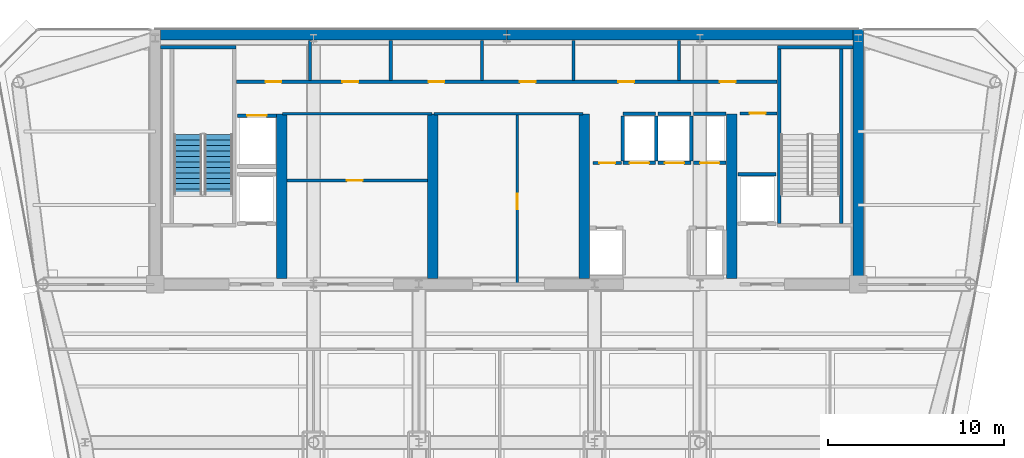
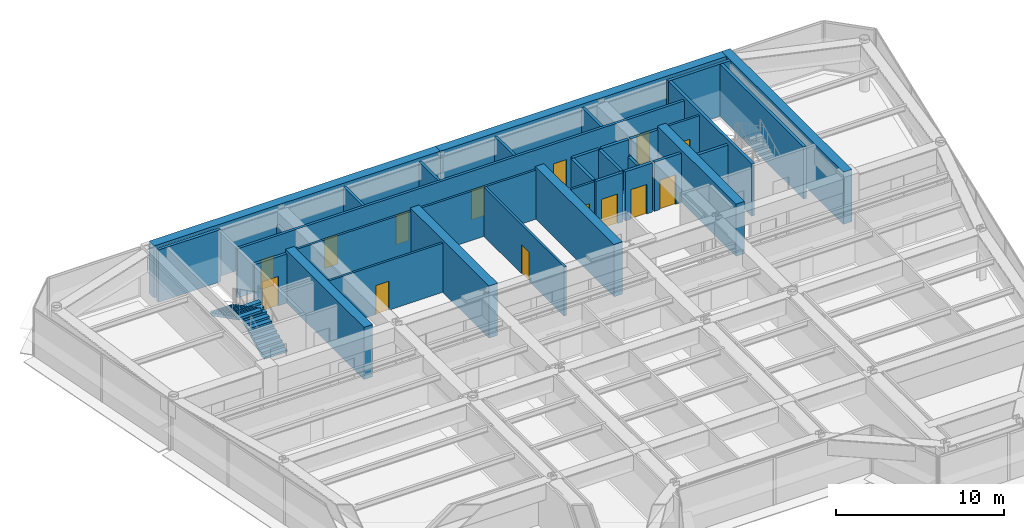
# One storey, part 12 of 17: 34 walls, 14 doors, 2 stair flights, 14 openings, 1 element without a shape of its own.
"""IFC4 building model written with IfcOpenShell, lengths in metres."""

from ifc_helpers import new_model, si_unit, direction, frame, frame_2d, origin, place, context, subcontext, project, spatial, polyline, rectangle, outline, extrude, source, transform, mapped, material, layer, layer_set, type_object, element, fill, aggregate, save


model = new_model("IFC4")

# Units and contexts
model_context = context("Model", 3, precision=1e-05, world=origin(), true_north=direction((0.0, 1.0)))
body_context = subcontext(model_context, "Body", "Model", "MODEL_VIEW")
ifc_project = project(units=[si_unit("LENGTHUNIT", "METRE"), si_unit("AREAUNIT", "SQUARE_METRE"), si_unit("VOLUMEUNIT", "CUBIC_METRE"), si_unit("PLANEANGLEUNIT", "RADIAN"), si_unit("MASSUNIT", "GRAM", prefix="KILO")], contexts=[model_context])

# Site, building, storey
site_placement = place(None, origin())
site = spatial("IfcSite", under=ifc_project, at=site_placement, CompositionType="ELEMENT")
building_placement = place(site_placement, origin())
building = spatial("IfcBuilding", under=site, at=building_placement, Name="Vaeldorn Concourse Tower", CompositionType="ELEMENT")
storey_placement = place(building_placement, frame((0.0, 0.0, 234.60009765625)))
storey = spatial("IfcBuildingStorey", under=building, at=storey_placement, Name="L60", CompositionType="ELEMENT", Elevation=234.60009765625)

# Walls
ifc_material_1 = material(Name="Concrete C50/60", Category="concrete")
ifc_layer_1 = layer(ifc_material_1, 0.60009765625)
ifc_layer_set_1 = layer_set([ifc_layer_1], Name="Concrete C50/60")
wall_type_1 = type_object("IfcWallType", Name="WL-CORE-600", PredefinedType="SHEAR", material=ifc_layer_set_1)
for number, where, z_axis, x_axis, name in (
    (1, (14.303955078125, 50.699951171875, 0.0), (0.0, 0.0, 1.0), (1.0, 0.0, 0.0), "Rear Core Shear Wall L60 N1"),
    (2, (34.001953125, 50.699951171875, 0.0), (0.0, 0.0, 1.0), (1.0, 0.0, 0.0), "Rear Core Shear Wall L60 N2"),
):
    element("IfcWall", number, at=place(storey_placement, frame(where, z_axis=z_axis, x_axis=x_axis)), inside=storey, type_object=wall_type_1, Name=name, PredefinedType="SHEAR", context=body_context, shape_type="SweptSolid", body=[
        extrude(rectangle(XDim=19.694091796875, YDim=0.60009765625, at=frame_2d((9.84716796875, 0.0))), origin(), (0.0, 0.0, 1.0), 3.7998046875),
    ])
wall_1_placement = place(storey_placement, frame((54.0, 36.5, 0.0), z_axis=(0.0, 0.0, 1.0), x_axis=(0.0, 1.0, 0.0)))
element("IfcWall", 3, at=wall_1_placement, inside=storey, type_object=wall_type_1, Name="Rear Core Shear Wall L60 E1", PredefinedType="SHEAR", context=body_context, shape_type="SweptSolid", body=[
    extrude(rectangle(XDim=14.5, YDim=0.60009765625, at=frame_2d((7.25, 0.0))), origin(), (0.0, 0.0, 1.0), 3.7998046875),
])
for number, where, z_axis, x_axis, name in (
    (4, (21.199951171875, 36.820068359375, 0.0), (0.0, 0.0, 1.0), (0.0, 1.0, 0.0), "Rear Core Shear Wall L60 M1"),
    (5, (29.800048828125, 36.820068359375, 0.0), (0.0, 0.0, 1.0), (0.0, 1.0, 0.0), "Rear Core Shear Wall L60 M2"),
    (6, (38.39990234375, 36.820068359375, 0.0), (0.0, 0.0, 1.0), (0.0, 1.0, 0.0), "Rear Core Shear Wall L60 M3"),
    (7, (46.800048828125, 36.820068359375, 0.0), (0.0, 0.0, 1.0), (0.0, 1.0, 0.0), "Rear Core Shear Wall L60 M4"),
):
    element("IfcWall", number, at=place(storey_placement, frame(where, z_axis=z_axis, x_axis=x_axis)), inside=storey, type_object=wall_type_1, Name=name, PredefinedType="SHEAR", context=body_context, shape_type="SweptSolid", body=[
        extrude(rectangle(XDim=9.3798828125, YDim=0.60009765625, at=frame_2d((4.68994140625, 0.0))), origin(), (0.0, 0.0, 1.0), 3.7998046875),
    ])
ifc_material_2 = material(Name="Gypsum Board Partition", Category="gypsum")
ifc_layer_2 = layer(ifc_material_2, 0.14990234375)
ifc_layer_set_2 = layer_set([ifc_layer_2], Name="Gypsum Board Partition")
wall_type_2 = type_object("IfcWallType", Name="WL-PART-150", PredefinedType="PARTITIONING", material=ifc_layer_set_2)
wall_2_placement = place(storey_placement, frame((21.25, 46.199951171875, 0.0), z_axis=(0.0, 0.0, 1.0), x_axis=(1.0, 0.0, 0.0)))
element("IfcWall", 8, at=wall_2_placement, inside=storey, type_object=wall_type_2, Name="Interior Wall CW-L60-R1N", PredefinedType="PARTITIONING", context=body_context, shape_type="SweptSolid", body=[
    extrude(rectangle(XDim=8.5, YDim=0.14990234375, at=frame_2d((4.25, 0.0))), origin(), (0.0, 0.0, 1.0), 3.579833984375),
])

# Wall, opening, door
wall_3_placement = place(storey_placement, frame((21.5, 42.39990234375, 0.0), z_axis=(0.0, 0.0, 1.0), x_axis=(1.0, 0.0, 0.0)))
wall_3 = element("IfcWall", 9, at=wall_3_placement, inside=storey, type_object=wall_type_2, Name="Interior Wall CW-L60-R1M", PredefinedType="PARTITIONING", context=body_context, shape_type="SweptSolid", body=[
    extrude(rectangle(XDim=8.0, YDim=0.14990234375, at=frame_2d((4.0, 0.0))), origin(), (0.0, 0.0, 1.0), 3.579833984375),
])
opening_1_placement = place(wall_3_placement, frame((3.39990234375, 0.0, 0.0)))
opening_1 = element("IfcOpeningElement", 10, at=opening_1_placement, cuts=wall_3, Name="Opening D-02", PredefinedType="OPENING", context=body_context, shape_type="SweptSolid", body=[
    extrude(rectangle(XDim=0.89990234375, YDim=2.10009765625, at=frame_2d((0.449951171875, 1.050048828125))), frame((0.0, 0.0849609375, 0.0), z_axis=(0.0, -1.0, 0.0), x_axis=(1.0, 0.0, 0.0)), (0.0, 0.0, 1.0), 0.169921875),
])
ifc_material_3 = material(Name="Fire-Rated Timber Leaf", Category="wood")
door_type_1 = type_object("IfcDoorType", Name="DR-FD30-900", OperationType="NOTDEFINED", PredefinedType="DOOR", material=ifc_material_3)
shared_shape_1 = source(origin(), body_context, "Body", "SweptSolid", [
    extrude(rectangle(XDim=0.89990234375, YDim=2.10009765625, at=frame_2d((0.449951171875, 1.050048828125))), frame((0.0, 0.02490234375, 0.0), z_axis=(0.0, -1.0, 0.0), x_axis=(1.0, 0.0, 0.0)), (0.0, 0.0, 1.0), 0.050048828125),
])
door_1_placement = place(opening_1_placement, origin())
door_1 = element("IfcDoor", 11, at=door_1_placement, inside=storey, type_object=door_type_1, Name="Interior Door DR-L60-R1M", OperationType="SINGLE_SWING_RIGHT", OverallHeight=2.10009765625, OverallWidth=0.89990234375, PredefinedType="DOOR", context=body_context, shape_type="MappedRepresentation", body=[
    mapped(shared_shape_1, transform((0.0, 0.0, 0.0), scale=1.0)),
])
fill(opening_1, door_1)

# Wall
wall_4_placement = place(storey_placement, frame((29.85009765625, 46.199951171875, 0.0), z_axis=(0.0, 0.0, 1.0), x_axis=(1.0, 0.0, 0.0)))
element("IfcWall", 12, at=wall_4_placement, inside=storey, type_object=wall_type_2, Name="Interior Wall CW-L60-R2N", PredefinedType="PARTITIONING", context=body_context, shape_type="SweptSolid", body=[
    extrude(rectangle(XDim=8.5, YDim=0.14990234375, at=frame_2d((4.25, 0.0))), origin(), (0.0, 0.0, 1.0), 3.579833984375),
])

# Wall, opening, door
wall_5_placement = place(storey_placement, frame((34.60009765625, 36.56005859375, 0.0), z_axis=(0.0, 0.0, 1.0), x_axis=(0.0, 1.0, 0.0)))
wall_5 = element("IfcWall", 13, at=wall_5_placement, inside=storey, type_object=wall_type_2, Name="Interior Wall CW-L60-R2M", PredefinedType="PARTITIONING", context=body_context, shape_type="SweptSolid", body=[
    extrude(rectangle(XDim=9.579833984375, YDim=0.14990234375, at=frame_2d((4.7900390625, 0.0))), origin(), (0.0, 0.0, 1.0), 3.579833984375),
])
opening_2_placement = place(wall_5_placement, frame((4.199951171875, 0.0, 0.0)))
opening_2 = element("IfcOpeningElement", 14, at=opening_2_placement, cuts=wall_5, Name="Opening D-02", PredefinedType="OPENING", context=body_context, shape_type="SweptSolid", body=[
    extrude(rectangle(XDim=0.89990234375, YDim=2.10009765625, at=frame_2d((0.449951171875, 1.050048828125))), frame((0.0, 0.0849609375, 0.0), z_axis=(0.0, -1.0, 0.0), x_axis=(1.0, 0.0, 0.0)), (0.0, 0.0, 1.0), 0.169921875),
])
door_2_placement = place(opening_2_placement, origin())
door_2 = element("IfcDoor", 15, at=door_2_placement, inside=storey, type_object=door_type_1, Name="Interior Door DR-L60-R2E", OperationType="SINGLE_SWING_RIGHT", OverallHeight=2.10009765625, OverallWidth=0.89990234375, PredefinedType="DOOR", context=body_context, shape_type="MappedRepresentation", body=[
    mapped(shared_shape_1, transform((0.0, 0.0, 0.0), scale=1.0)),
])
fill(opening_2, door_2)

wall_6_placement = place(storey_placement, frame((47.280029296875, 46.219970703125, 0.0), z_axis=(0.0, 0.0, 1.0), x_axis=(1.0, 0.0, 0.0)))
wall_6 = element("IfcWall", 16, at=wall_6_placement, inside=storey, type_object=wall_type_2, Name="Interior Wall CW-L60-CRSE-N", PredefinedType="PARTITIONING", context=body_context, shape_type="SweptSolid", body=[
    extrude(rectangle(XDim=2.099853515625, YDim=0.14990234375, at=frame_2d((1.0498046875, 0.0))), origin(), (0.0, 0.0, 1.0), 3.579833984375),
])
opening_3_placement = place(wall_6_placement, frame((0.550048828125, 0.0, 0.0)))
opening_3 = element("IfcOpeningElement", 17, at=opening_3_placement, cuts=wall_6, Name="Opening D-02", PredefinedType="OPENING", context=body_context, shape_type="SweptSolid", body=[
    extrude(rectangle(XDim=0.89990234375, YDim=2.10009765625, at=frame_2d((0.449951171875, 1.050048828125))), frame((0.0, 0.0849609375, 0.0), z_axis=(0.0, -1.0, 0.0), x_axis=(1.0, 0.0, 0.0)), (0.0, 0.0, 1.0), 0.169921875),
])
door_3_placement = place(opening_3_placement, origin())
door_3 = element("IfcDoor", 18, at=door_3_placement, inside=storey, type_object=door_type_1, Name="Interior Door DR-L60-CRSE", OperationType="SINGLE_SWING_RIGHT", OverallHeight=2.10009765625, OverallWidth=0.89990234375, PredefinedType="DOOR", context=body_context, shape_type="MappedRepresentation", body=[
    mapped(shared_shape_1, transform((0.0, 0.0, 0.0), scale=1.0)),
])
fill(opening_3, door_3)

wall_7_placement = place(storey_placement, frame((38.919921875, 43.39990234375, 0.0), z_axis=(0.0, 0.0, 1.0), x_axis=(1.0, 0.0, 0.0)))
wall_7 = element("IfcWall", 19, at=wall_7_placement, inside=storey, type_object=wall_type_2, Name="Interior Wall CW-L60-CCLINK", PredefinedType="PARTITIONING", context=body_context, shape_type="SweptSolid", body=[
    extrude(rectangle(XDim=1.60009765625, YDim=0.14990234375, at=frame_2d((0.800048828125, 0.0))), origin(), (0.0, 0.0, 1.0), 3.579833984375),
])
opening_4_placement = place(wall_7_placement, frame((0.35009765625, 0.0, 0.0)))
opening_4 = element("IfcOpeningElement", 20, at=opening_4_placement, cuts=wall_7, Name="Opening D-02", PredefinedType="OPENING", context=body_context, shape_type="SweptSolid", body=[
    extrude(rectangle(XDim=0.89990234375, YDim=2.10009765625, at=frame_2d((0.449951171875, 1.050048828125))), frame((0.0, 0.0849609375, 0.0), z_axis=(0.0, -1.0, 0.0), x_axis=(1.0, 0.0, 0.0)), (0.0, 0.0, 1.0), 0.169921875),
])
door_4_placement = place(opening_4_placement, origin())
door_4 = element("IfcDoor", 21, at=door_4_placement, inside=storey, type_object=door_type_1, Name="Interior Door DR-L60-CCLINK", OperationType="SINGLE_SWING_LEFT", OverallHeight=2.10009765625, OverallWidth=0.89990234375, PredefinedType="DOOR", context=body_context, shape_type="MappedRepresentation", body=[
    mapped(shared_shape_1, transform((0.0, 0.0, 0.0), scale=1.0)),
])
fill(opening_4, door_4)

# Wall, openings, doors
ifc_layer_3 = layer(ifc_material_2, 0.179931640625)
ifc_layer_set_3 = layer_set([ifc_layer_3], Name="Gypsum Board Partition")
wall_type_3 = type_object("IfcWallType", Name="WL-PLUMB-180", PredefinedType="PLUMBINGWALL", material=ifc_layer_set_3)
wall_8_placement = place(storey_placement, frame((18.6201171875, 48.02001953125, 0.0), z_axis=(0.0, 0.0, 1.0), x_axis=(1.0, 0.0, 0.0)))
wall_8 = element("IfcWall", 22, at=wall_8_placement, inside=storey, type_object=wall_type_3, Name="Interior Wall CW-L60-NS3", PredefinedType="PLUMBINGWALL", context=body_context, shape_type="SweptSolid", body=[
    extrude(rectangle(XDim=30.759765625, YDim=0.179931640625, at=frame_2d((15.3798828125, 0.0))), origin(), (0.0, 0.0, 1.0), 3.579833984375),
])
opening_5_placement = place(wall_8_placement, frame((1.655029296875, 0.0, 0.0)))
opening_5 = element("IfcOpeningElement", 23, at=opening_5_placement, cuts=wall_8, Name="Opening D-03", PredefinedType="OPENING", context=body_context, shape_type="SweptSolid", body=[
    extrude(rectangle(XDim=0.89990234375, YDim=2.14990234375, at=frame_2d((0.449951171875, 1.074951171875))), frame((0.0, 0.10009765625, 0.0), z_axis=(0.0, -1.0, 0.0), x_axis=(1.0, 0.0, 0.0)), (0.0, 0.0, 1.0), 0.199951171875),
])
opening_6_placement = place(wall_8_placement, frame((6.030029296875, 0.0, 0.0)))
opening_6 = element("IfcOpeningElement", 24, at=opening_6_placement, cuts=wall_8, Name="Opening D-03", PredefinedType="OPENING", context=body_context, shape_type="SweptSolid", body=[
    extrude(rectangle(XDim=0.89990234375, YDim=2.14990234375, at=frame_2d((0.449951171875, 1.074951171875))), frame((0.0, 0.10009765625, 0.0), z_axis=(0.0, -1.0, 0.0), x_axis=(1.0, 0.0, 0.0)), (0.0, 0.0, 1.0), 0.199951171875),
])
opening_7_placement = place(wall_8_placement, frame((10.929931640625, 0.0, 0.0)))
opening_7 = element("IfcOpeningElement", 25, at=opening_7_placement, cuts=wall_8, Name="Opening D-03", PredefinedType="OPENING", context=body_context, shape_type="SweptSolid", body=[
    extrude(rectangle(XDim=0.89990234375, YDim=2.14990234375, at=frame_2d((0.449951171875, 1.074951171875))), frame((0.0, 0.10009765625, 0.0), z_axis=(0.0, -1.0, 0.0), x_axis=(1.0, 0.0, 0.0)), (0.0, 0.0, 1.0), 0.199951171875),
])
opening_8_placement = place(wall_8_placement, frame((16.1298828125, 0.0, 0.0)))
opening_8 = element("IfcOpeningElement", 26, at=opening_8_placement, cuts=wall_8, Name="Opening D-03", PredefinedType="OPENING", context=body_context, shape_type="SweptSolid", body=[
    extrude(rectangle(XDim=0.89990234375, YDim=2.14990234375, at=frame_2d((0.449951171875, 1.074951171875))), frame((0.0, 0.10009765625, 0.0), z_axis=(0.0, -1.0, 0.0), x_axis=(1.0, 0.0, 0.0)), (0.0, 0.0, 1.0), 0.199951171875),
])
opening_9_placement = place(wall_8_placement, frame((21.72998046875, 0.0, 0.0)))
opening_9 = element("IfcOpeningElement", 27, at=opening_9_placement, cuts=wall_8, Name="Opening D-03", PredefinedType="OPENING", context=body_context, shape_type="SweptSolid", body=[
    extrude(rectangle(XDim=0.89990234375, YDim=2.14990234375, at=frame_2d((0.449951171875, 1.074951171875))), frame((0.0, 0.10009765625, 0.0), z_axis=(0.0, -1.0, 0.0), x_axis=(1.0, 0.0, 0.0)), (0.0, 0.0, 1.0), 0.199951171875),
])
opening_10_placement = place(wall_8_placement, frame((27.5048828125, 0.0, 0.0)))
opening_10 = element("IfcOpeningElement", 28, at=opening_10_placement, cuts=wall_8, Name="Opening D-03", PredefinedType="OPENING", context=body_context, shape_type="SweptSolid", body=[
    extrude(rectangle(XDim=0.89990234375, YDim=2.14990234375, at=frame_2d((0.449951171875, 1.074951171875))), frame((0.0, 0.10009765625, 0.0), z_axis=(0.0, -1.0, 0.0), x_axis=(1.0, 0.0, 0.0)), (0.0, 0.0, 1.0), 0.199951171875),
])
ifc_material_4 = material(Name="Acoustic Bronze-Framed Glass Door", Category="glass")
door_type_2 = type_object("IfcDoorType", Name="DR-INT-900", OperationType="NOTDEFINED", PredefinedType="DOOR", material=ifc_material_4)
shared_shape_2 = source(origin(), body_context, "Body", "SweptSolid", [
    extrude(rectangle(XDim=0.89990234375, YDim=2.14990234375, at=frame_2d((0.449951171875, 1.074951171875))), frame((0.0, 0.02490234375, 0.0), z_axis=(0.0, -1.0, 0.0), x_axis=(1.0, 0.0, 0.0)), (0.0, 0.0, 1.0), 0.050048828125),
])
door_5_placement = place(opening_5_placement, origin())
door_5 = element("IfcDoor", 29, at=door_5_placement, inside=storey, type_object=door_type_2, Name="Interior Door DR-L60-CS1", OperationType="SINGLE_SWING_LEFT", OverallHeight=2.14990234375, OverallWidth=0.89990234375, PredefinedType="DOOR", context=body_context, shape_type="MappedRepresentation", body=[
    mapped(shared_shape_2, transform((0.0, 0.0, 0.0), scale=1.0)),
])
fill(opening_5, door_5)
door_6_placement = place(opening_6_placement, origin())
door_6 = element("IfcDoor", 30, at=door_6_placement, inside=storey, type_object=door_type_2, Name="Interior Door DR-L60-CS2", OperationType="SINGLE_SWING_RIGHT", OverallHeight=2.14990234375, OverallWidth=0.89990234375, PredefinedType="DOOR", context=body_context, shape_type="MappedRepresentation", body=[
    mapped(shared_shape_2, transform((0.0, 0.0, 0.0), scale=1.0)),
])
fill(opening_6, door_6)
door_7_placement = place(opening_7_placement, origin())
door_7 = element("IfcDoor", 31, at=door_7_placement, inside=storey, type_object=door_type_2, Name="Interior Door DR-L60-CS3", OperationType="SINGLE_SWING_LEFT", OverallHeight=2.14990234375, OverallWidth=0.89990234375, PredefinedType="DOOR", context=body_context, shape_type="MappedRepresentation", body=[
    mapped(shared_shape_2, transform((0.0, 0.0, 0.0), scale=1.0)),
])
fill(opening_7, door_7)
door_8_placement = place(opening_8_placement, origin())
door_8 = element("IfcDoor", 32, at=door_8_placement, inside=storey, type_object=door_type_2, Name="Interior Door DR-L60-CS4", OperationType="SINGLE_SWING_RIGHT", OverallHeight=2.14990234375, OverallWidth=0.89990234375, PredefinedType="DOOR", context=body_context, shape_type="MappedRepresentation", body=[
    mapped(shared_shape_2, transform((0.0, 0.0, 0.0), scale=1.0)),
])
fill(opening_8, door_8)
door_9_placement = place(opening_9_placement, origin())
door_9 = element("IfcDoor", 33, at=door_9_placement, inside=storey, type_object=door_type_2, Name="Interior Door DR-L60-CS5", OperationType="SINGLE_SWING_LEFT", OverallHeight=2.14990234375, OverallWidth=0.89990234375, PredefinedType="DOOR", context=body_context, shape_type="MappedRepresentation", body=[
    mapped(shared_shape_2, transform((0.0, 0.0, 0.0), scale=1.0)),
])
fill(opening_9, door_9)
door_10_placement = place(opening_10_placement, origin())
door_10 = element("IfcDoor", 34, at=door_10_placement, inside=storey, type_object=door_type_2, Name="Interior Door DR-L60-CS6", OperationType="SINGLE_SWING_RIGHT", OverallHeight=2.14990234375, OverallWidth=0.89990234375, PredefinedType="DOOR", context=body_context, shape_type="MappedRepresentation", body=[
    mapped(shared_shape_2, transform((0.0, 0.0, 0.0), scale=1.0)),
])
fill(opening_10, door_10)

# Walls
wall_9_placement = place(storey_placement, frame((22.800048828125, 48.10009765625, 0.0), z_axis=(0.0, 0.0, 1.0), x_axis=(0.0, 1.0, 0.0)))
element("IfcWall", 35, at=wall_9_placement, inside=storey, type_object=wall_type_3, Name="Interior Wall CW-L60-NDIV1", PredefinedType="PLUMBINGWALL", context=body_context, shape_type="SweptSolid", body=[
    extrude(rectangle(XDim=2.27978515625, YDim=0.179931640625, at=frame_2d((1.139892578125, 0.0))), origin(), (0.0, 0.0, 1.0), 2.369873046875),
])
for number, where, z_axis, x_axis, name in (
    (36, (27.39990234375, 48.10009765625, 0.0), (0.0, 0.0, 1.0), (0.0, 1.0, 0.0), "Interior Wall CW-L60-NDIV2"),
    (37, (32.60009765625, 48.10009765625, 0.0), (0.0, 0.0, 1.0), (0.0, 1.0, 0.0), "Interior Wall CW-L60-NDIV3"),
    (38, (37.800048828125, 48.10009765625, 0.0), (0.0, 0.0, 1.0), (0.0, 1.0, 0.0), "Interior Wall CW-L60-NDIV4"),
    (39, (43.800048828125, 48.10009765625, 0.0), (0.0, 0.0, 1.0), (0.0, 1.0, 0.0), "Interior Wall CW-L60-NDIV5"),
):
    element("IfcWall", number, at=place(storey_placement, frame(where, z_axis=z_axis, x_axis=x_axis)), inside=storey, type_object=wall_type_3, Name=name, PredefinedType="PLUMBINGWALL", context=body_context, shape_type="SweptSolid", body=[
        extrude(rectangle(XDim=2.27978515625, YDim=0.179931640625, at=frame_2d((1.139892578125, 0.0))), origin(), (0.0, 0.0, 1.0), 3.579833984375),
    ])
ifc_layer_4 = layer(ifc_material_1, 0.199951171875)
ifc_layer_set_4 = layer_set([ifc_layer_4], Name="Concrete C50/60")
wall_type_4 = type_object("IfcWallType", Name="WL-SHAFT-200", PredefinedType="SOLIDWALL", material=ifc_layer_set_4)
for number, where, z_axis, x_axis, name in (
    (40, (14.300048828125, 50.0, 0.0), (0.0, 0.0, 1.0), (1.0, 0.0, 0.0), "Stair Shaft Wall CW-L60-ST-1-N"),
    (41, (49.39990234375, 50.0, 0.0), (0.0, 0.0, 1.0), (1.0, 0.0, 0.0), "Stair Shaft Wall CW-L60-ST-2-N"),
):
    element("IfcWall", number, at=place(storey_placement, frame(where, z_axis=z_axis, x_axis=x_axis)), inside=storey, type_object=wall_type_4, Name=name, PredefinedType="SOLIDWALL", context=body_context, shape_type="SweptSolid", body=[
        extrude(rectangle(XDim=4.300048828125, YDim=0.199951171875, at=frame_2d((2.14990234375, 0.0))), origin(), (0.0, 0.0, 1.0), 3.7998046875),
    ])
for number, where, z_axis, x_axis, name in (
    (42, (49.5, 39.9599609375, 0.0), (0.0, 0.0, 1.0), (0.0, 1.0, 0.0), "Stair Shaft Wall CW-L60-ST-2-W"),
    (43, (53.050048828125, 39.9599609375, 0.0), (0.0, 0.0, 1.0), (0.0, 1.0, 0.0), "Stair Shaft Wall CW-L60-ST-2-E"),
):
    element("IfcWall", number, at=place(storey_placement, frame(where, z_axis=z_axis, x_axis=x_axis)), inside=storey, type_object=wall_type_4, Name=name, PredefinedType="SOLIDWALL", context=body_context, shape_type="SweptSolid", body=[
        extrude(rectangle(XDim=9.929931640625, YDim=0.199951171875, at=frame_2d((4.96484375, 0.0))), origin(), (0.0, 0.0, 1.0), 3.7998046875),
    ])

# Wall, opening, door
wall_10_placement = place(storey_placement, frame((40.6201171875, 43.39990234375, 0.0), z_axis=(0.0, 0.0, 1.0), x_axis=(1.0, 0.0, 0.0)))
wall_10 = element("IfcWall", 44, at=wall_10_placement, inside=storey, type_object=wall_type_4, Name="Interior Wall CW-L60-LF-LF-15", PredefinedType="SOLIDWALL", context=body_context, shape_type="SweptSolid", body=[
    extrude(rectangle(XDim=1.85986328125, YDim=0.199951171875, at=frame_2d((0.929931640625, 0.0))), origin(), (0.0, 0.0, 1.0), 3.579833984375),
])
opening_11_placement = place(wall_10_placement, frame((0.3798828125, 0.0, 0.0)))
opening_11 = element("IfcOpeningElement", 45, at=opening_11_placement, cuts=wall_10, Name="Opening LD-1", PredefinedType="OPENING", context=body_context, shape_type="SweptSolid", body=[
    extrude(rectangle(XDim=1.10009765625, YDim=2.14990234375, at=frame_2d((0.550048828125, 1.074951171875))), frame((0.0, 0.10986328125, 0.0), z_axis=(0.0, -1.0, 0.0), x_axis=(1.0, 0.0, 0.0)), (0.0, 0.0, 1.0), 0.219970703125),
])
ifc_material_5 = material(Name="Anodised Bronze Aluminium", Category="aluminium")
door_type_3 = type_object("IfcDoorType", Name="DR-LIFT-SLIDE-1100", OperationType="DOUBLE_DOOR_SLIDING", PredefinedType="DOOR", material=ifc_material_5)
shared_shape_3 = source(origin(), body_context, "Body", "SweptSolid", [
    extrude(rectangle(XDim=1.10009765625, YDim=2.14990234375, at=frame_2d((0.550048828125, 1.074951171875))), frame((0.0, 0.02490234375, 0.0), z_axis=(0.0, -1.0, 0.0), x_axis=(1.0, 0.0, 0.0)), (0.0, 0.0, 1.0), 0.050048828125),
])
door_11_placement = place(opening_11_placement, origin())
door_11 = element("IfcDoor", 46, at=door_11_placement, inside=storey, type_object=door_type_3, Name="Lift Landing Door LD-L60-LF-15", OperationType="DOUBLE_DOOR_SLIDING", OverallHeight=2.14990234375, OverallWidth=1.10009765625, PredefinedType="DOOR", context=body_context, shape_type="MappedRepresentation", body=[
    mapped(shared_shape_3, transform((0.0, 0.0, 0.0), scale=1.0)),
])
fill(opening_11, door_11)

# Walls
wall_11_placement = place(storey_placement, frame((40.6201171875, 46.199951171875, 0.0), z_axis=(0.0, 0.0, 1.0), x_axis=(1.0, 0.0, 0.0)))
element("IfcWall", 47, at=wall_11_placement, inside=storey, type_object=wall_type_4, Name="Interior Wall CW-L60-LFB-LF-15", PredefinedType="SOLIDWALL", context=body_context, shape_type="SweptSolid", body=[
    extrude(rectangle(XDim=1.85986328125, YDim=0.199951171875, at=frame_2d((0.929931640625, 0.0))), origin(), (0.0, 0.0, 1.0), 3.579833984375),
])
for number, where, z_axis, x_axis, name in (
    (48, (40.60009765625, 43.52001953125, 0.0), (0.0, 0.0, 1.0), (0.0, 1.0, 0.0), "Interior Wall CW-L60-LFW-LF-15"),
    (49, (42.5, 43.52001953125, 0.0), (0.0, 0.0, 1.0), (0.0, 1.0, 0.0), "Interior Wall CW-L60-LFE-LF-15"),
):
    element("IfcWall", number, at=place(storey_placement, frame(where, z_axis=z_axis, x_axis=x_axis)), inside=storey, type_object=wall_type_4, Name=name, PredefinedType="SOLIDWALL", context=body_context, shape_type="SweptSolid", body=[
        extrude(rectangle(XDim=2.56005859375, YDim=0.199951171875, at=frame_2d((1.280029296875, 0.0))), origin(), (0.0, 0.0, 1.0), 3.579833984375),
    ])

# Wall, opening, door
wall_12_placement = place(storey_placement, frame((42.6201171875, 43.39990234375, 0.0), z_axis=(0.0, 0.0, 1.0), x_axis=(1.0, 0.0, 0.0)))
wall_12 = element("IfcWall", 50, at=wall_12_placement, inside=storey, type_object=wall_type_4, Name="Interior Wall CW-L60-LF-LF-16", PredefinedType="SOLIDWALL", context=body_context, shape_type="SweptSolid", body=[
    extrude(rectangle(XDim=1.85986328125, YDim=0.199951171875, at=frame_2d((0.929931640625, 0.0))), origin(), (0.0, 0.0, 1.0), 3.579833984375),
])
opening_12_placement = place(wall_12_placement, frame((0.3798828125, 0.0, 0.0)))
opening_12 = element("IfcOpeningElement", 51, at=opening_12_placement, cuts=wall_12, Name="Opening LD-1", PredefinedType="OPENING", context=body_context, shape_type="SweptSolid", body=[
    extrude(rectangle(XDim=1.10009765625, YDim=2.14990234375, at=frame_2d((0.550048828125, 1.074951171875))), frame((0.0, 0.10986328125, 0.0), z_axis=(0.0, -1.0, 0.0), x_axis=(1.0, 0.0, 0.0)), (0.0, 0.0, 1.0), 0.219970703125),
])
door_12_placement = place(opening_12_placement, origin())
door_12 = element("IfcDoor", 52, at=door_12_placement, inside=storey, type_object=door_type_3, Name="Lift Landing Door LD-L60-LF-16", OperationType="DOUBLE_DOOR_SLIDING", OverallHeight=2.14990234375, OverallWidth=1.10009765625, PredefinedType="DOOR", context=body_context, shape_type="MappedRepresentation", body=[
    mapped(shared_shape_3, transform((0.0, 0.0, 0.0), scale=1.0)),
])
fill(opening_12, door_12)

# Walls
wall_13_placement = place(storey_placement, frame((42.6201171875, 46.199951171875, 0.0), z_axis=(0.0, 0.0, 1.0), x_axis=(1.0, 0.0, 0.0)))
element("IfcWall", 53, at=wall_13_placement, inside=storey, type_object=wall_type_4, Name="Interior Wall CW-L60-LFB-LF-16", PredefinedType="SOLIDWALL", context=body_context, shape_type="SweptSolid", body=[
    extrude(rectangle(XDim=1.85986328125, YDim=0.199951171875, at=frame_2d((0.929931640625, 0.0))), origin(), (0.0, 0.0, 1.0), 3.579833984375),
])
wall_14_placement = place(storey_placement, frame((44.5, 43.52001953125, 0.0), z_axis=(0.0, 0.0, 1.0), x_axis=(0.0, 1.0, 0.0)))
element("IfcWall", 54, at=wall_14_placement, inside=storey, type_object=wall_type_4, Name="Interior Wall CW-L60-LFE-LF-16", PredefinedType="SOLIDWALL", context=body_context, shape_type="SweptSolid", body=[
    extrude(rectangle(XDim=2.56005859375, YDim=0.199951171875, at=frame_2d((1.280029296875, 0.0))), origin(), (0.0, 0.0, 1.0), 2.369873046875),
])

# Wall, opening, door
wall_15_placement = place(storey_placement, frame((44.6201171875, 43.39990234375, 0.0), z_axis=(0.0, 0.0, 1.0), x_axis=(1.0, 0.0, 0.0)))
wall_15 = element("IfcWall", 55, at=wall_15_placement, inside=storey, type_object=wall_type_4, Name="Interior Wall CW-L60-LF-LF-17", PredefinedType="SOLIDWALL", context=body_context, shape_type="SweptSolid", body=[
    extrude(rectangle(XDim=1.85986328125, YDim=0.199951171875, at=frame_2d((0.929931640625, 0.0))), origin(), (0.0, 0.0, 1.0), 3.579833984375),
])
opening_13_placement = place(wall_15_placement, frame((0.3798828125, 0.0, 0.0)))
opening_13 = element("IfcOpeningElement", 56, at=opening_13_placement, cuts=wall_15, Name="Opening LD-1", PredefinedType="OPENING", context=body_context, shape_type="SweptSolid", body=[
    extrude(rectangle(XDim=1.10009765625, YDim=2.14990234375, at=frame_2d((0.550048828125, 1.074951171875))), frame((0.0, 0.10986328125, 0.0), z_axis=(0.0, -1.0, 0.0), x_axis=(1.0, 0.0, 0.0)), (0.0, 0.0, 1.0), 0.219970703125),
])
door_13_placement = place(opening_13_placement, origin())
door_13 = element("IfcDoor", 57, at=door_13_placement, inside=storey, type_object=door_type_3, Name="Lift Landing Door LD-L60-LF-17", OperationType="DOUBLE_DOOR_SLIDING", OverallHeight=2.14990234375, OverallWidth=1.10009765625, PredefinedType="DOOR", context=body_context, shape_type="MappedRepresentation", body=[
    mapped(shared_shape_3, transform((0.0, 0.0, 0.0), scale=1.0)),
])
fill(opening_13, door_13)

# Wall
wall_16_placement = place(storey_placement, frame((44.6201171875, 46.199951171875, 0.0), z_axis=(0.0, 0.0, 1.0), x_axis=(1.0, 0.0, 0.0)))
element("IfcWall", 58, at=wall_16_placement, inside=storey, type_object=wall_type_4, Name="Interior Wall CW-L60-LFB-LF-17", PredefinedType="SOLIDWALL", context=body_context, shape_type="SweptSolid", body=[
    extrude(rectangle(XDim=1.85986328125, YDim=0.199951171875, at=frame_2d((0.929931640625, 0.0))), origin(), (0.0, 0.0, 1.0), 3.579833984375),
])

# Wall, opening, door
wall_17_placement = place(storey_placement, frame((18.669921875, 46.10009765625, 0.0), z_axis=(0.0, 0.0, 1.0), x_axis=(1.0, 0.0, 0.0)))
wall_17 = element("IfcWall", 59, at=wall_17_placement, inside=storey, type_object=wall_type_4, Name="Interior Wall CW-L60-LF-LF-SV1", PredefinedType="SOLIDWALL", context=body_context, shape_type="SweptSolid", body=[
    extrude(rectangle(XDim=2.219970703125, YDim=0.199951171875, at=frame_2d((1.10986328125, 0.0))), origin(), (0.0, 0.0, 1.0), 3.579833984375),
])
opening_14_placement = place(wall_17_placement, frame((0.56005859375, 0.0, 0.0)))
opening_14 = element("IfcOpeningElement", 60, at=opening_14_placement, cuts=wall_17, Name="Opening LD-1", PredefinedType="OPENING", context=body_context, shape_type="SweptSolid", body=[
    extrude(rectangle(XDim=1.10009765625, YDim=2.14990234375, at=frame_2d((0.550048828125, 1.074951171875))), frame((0.0, 0.10986328125, 0.0), z_axis=(0.0, -1.0, 0.0), x_axis=(1.0, 0.0, 0.0)), (0.0, 0.0, 1.0), 0.219970703125),
])
door_14_placement = place(opening_14_placement, origin())
door_14 = element("IfcDoor", 61, at=door_14_placement, inside=storey, type_object=door_type_3, Name="Lift Landing Door LD-L60-LF-SV1", OperationType="DOUBLE_DOOR_SLIDING", OverallHeight=2.14990234375, OverallWidth=1.10009765625, PredefinedType="DOOR", context=body_context, shape_type="MappedRepresentation", body=[
    mapped(shared_shape_3, transform((0.0, 0.0, 0.0), scale=1.0)),
])
fill(opening_14, door_14)

# Wall
wall_18_placement = place(storey_placement, frame((47.169921875, 42.75, 0.0), z_axis=(0.0, 0.0, 1.0), x_axis=(1.0, 0.0, 0.0)))
element("IfcWall", 62, at=wall_18_placement, inside=storey, type_object=wall_type_4, Name="Interior Wall CW-L60-LFB-LF-FF2", PredefinedType="SOLIDWALL", context=body_context, shape_type="SweptSolid", body=[
    extrude(rectangle(XDim=2.16015625, YDim=0.199951171875, at=frame_2d((1.080078125, 0.0))), origin(), (0.0, 0.0, 1.0), 3.579833984375),
])

# Stair, stair flights
ifc_material_6 = material(Name="Precast concrete C40/50", Category="concrete")
stair_type = type_object("IfcStairType", Name="STR-DOG-24x158", PredefinedType="HALF_TURN_STAIR", material=ifc_material_6)
stair_placement = place(storey_placement, origin())
stair = element("IfcStair", 63, at=stair_placement, inside=storey, type_object=stair_type, Name="L60 West Core Exit Stair ST-1", PredefinedType="HALF_TURN_STAIR")
stair_flight_type = type_object("IfcStairFlightType", Name="STF-STR-12x158", PredefinedType="STRAIGHT", material=ifc_material_6)
stair_flight_1_placement = place(storey_placement, frame((17.60009765625, 41.60009765625, 0.0), z_axis=(0.0, 0.0, 1.0), x_axis=(0.0, 1.0, 0.0)))
stair_flight_1 = element("IfcStairFlight", 64, at=stair_flight_1_placement, type_object=stair_flight_type, Name="ST-1 flight 1", NumberOfRisers=12, NumberOfTreads=11, PredefinedType="STRAIGHT", RiserHeight=0.158333333, TreadLength=0.31, context=body_context, shape_type="SweptSolid", body=[
    extrude(outline(polyline([(0.0, 0.0), (0.0, 0.158447265625), (0.31005859375, 0.158447265625), (0.31005859375, 0.316650390625), (0.6201171875, 0.316650390625), (0.6201171875, 0.47509765625), (0.929931640625, 0.47509765625), (0.929931640625, 0.63330078125), (1.239990234375, 0.63330078125), (1.239990234375, 0.791748046875), (1.550048828125, 0.791748046875), (1.550048828125, 0.949951171875), (1.860107421875, 0.949951171875), (1.860107421875, 1.1083984375), (2.169921875, 1.1083984375), (2.169921875, 1.2666015625), (2.47998046875, 1.2666015625), (2.47998046875, 1.425048828125), (2.7900390625, 1.425048828125), (2.7900390625, 1.583251953125), (3.10009765625, 1.583251953125), (3.10009765625, 1.74169921875), (3.409912109375, 1.74169921875), (3.409912109375, 1.89990234375), (3.409912109375, 1.5732421875), (0.32958984375, 0.0), (0.0, 0.0)])), frame((0.0, 0.800048828125, 0.0), z_axis=(0.0, -1.0, 0.0), x_axis=(1.0, 0.0, 0.0)), (0.0, 0.0, 1.0), 1.60009765625),
])
stair_flight_2_placement = place(storey_placement, frame((15.85009765625, 45.010009765625, 1.89990234375), z_axis=(0.0, 0.0, 1.0), x_axis=(0.0, -1.0, 0.0)))
stair_flight_2 = element("IfcStairFlight", 65, at=stair_flight_2_placement, type_object=stair_flight_type, Name="ST-1 flight 2", NumberOfRisers=12, NumberOfTreads=11, PredefinedType="STRAIGHT", RiserHeight=0.158333333, TreadLength=0.31, context=body_context, shape_type="SweptSolid", body=[
    extrude(outline(polyline([(0.0, 0.0), (0.0, 0.158447265625), (0.31005859375, 0.158447265625), (0.31005859375, 0.316650390625), (0.6201171875, 0.316650390625), (0.6201171875, 0.47509765625), (0.929931640625, 0.47509765625), (0.929931640625, 0.63330078125), (1.239990234375, 0.63330078125), (1.239990234375, 0.791748046875), (1.550048828125, 0.791748046875), (1.550048828125, 0.949951171875), (1.860107421875, 0.949951171875), (1.860107421875, 1.1083984375), (2.169921875, 1.1083984375), (2.169921875, 1.2666015625), (2.47998046875, 1.2666015625), (2.47998046875, 1.425048828125), (2.7900390625, 1.425048828125), (2.7900390625, 1.583251953125), (3.10009765625, 1.583251953125), (3.10009765625, 1.74169921875), (3.409912109375, 1.74169921875), (3.409912109375, 1.89990234375), (3.409912109375, 1.5732421875), (0.32958984375, 0.0), (0.0, 0.0)])), frame((0.0, 0.800048828125, 0.0), z_axis=(0.0, -1.0, 0.0), x_axis=(1.0, 0.0, 0.0)), (0.0, 0.0, 1.0), 1.60009765625),
])
aggregate(stair, [stair_flight_1, stair_flight_2])

save(model, "model.ifc")
